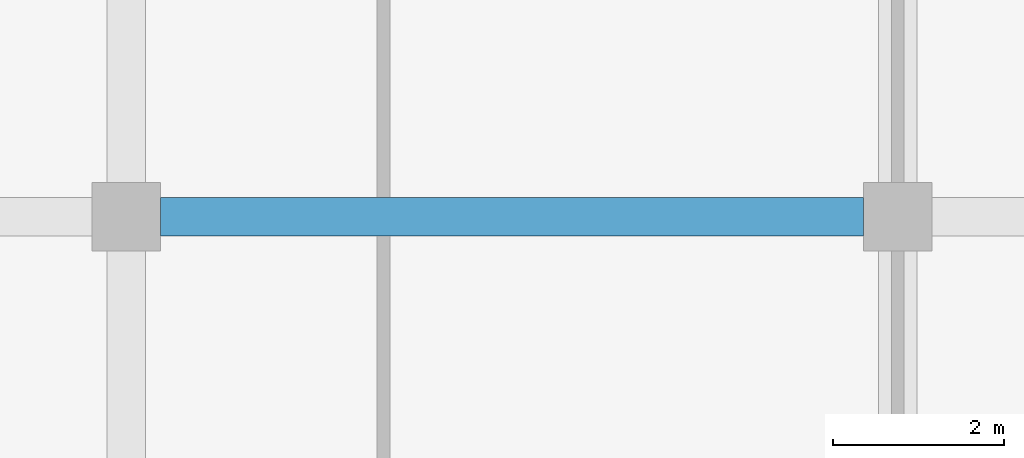
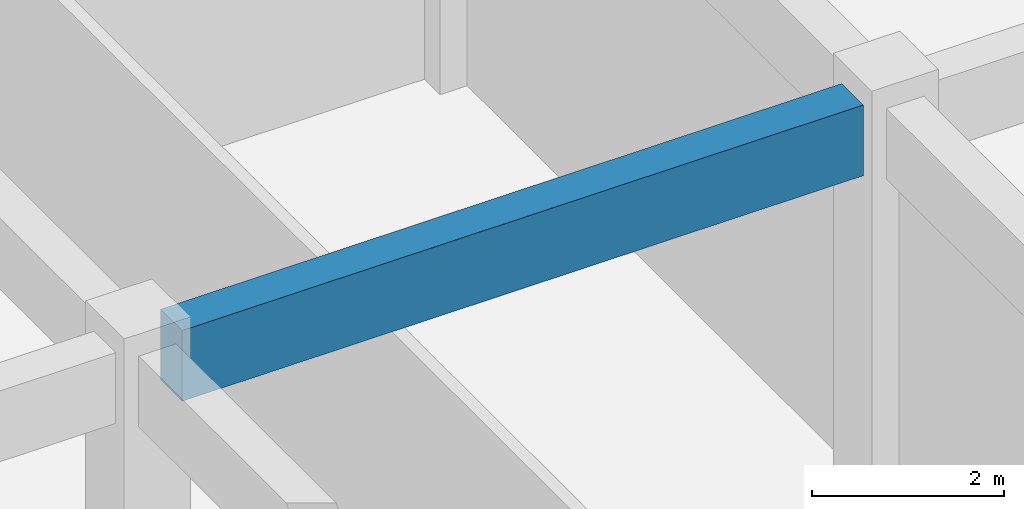
# One storey, part 203 of 437: 1 beam.
"""IFC4 building model written with IfcOpenShell, lengths in metres."""

from ifc_helpers import new_model, si_unit, direction, frame, origin, origin_2d, place, context, subcontext, project, spatial, rectangle, extrude, material, material_profile, profile_set, type_object, element, save


model = new_model("IFC4")

# Units and contexts
model_context = context("Model", 3, precision=1e-05, world=origin(), true_north=direction((0.0, 1.0)))
body_context = subcontext(model_context, "Body", "Model", "MODEL_VIEW")
ifc_project = project(units=[si_unit("LENGTHUNIT", "METRE"), si_unit("AREAUNIT", "SQUARE_METRE"), si_unit("VOLUMEUNIT", "CUBIC_METRE"), si_unit("PLANEANGLEUNIT", "RADIAN"), si_unit("MASSUNIT", "GRAM", prefix="KILO")], contexts=[model_context])

# Site, building, storey
site_placement = place(None, origin())
site = spatial("IfcSite", under=ifc_project, at=site_placement, CompositionType="ELEMENT")
building_placement = place(site_placement, origin())
building = spatial("IfcBuilding", under=site, at=building_placement, Name="Opaline Strait Convention Centre", CompositionType="ELEMENT")
storey_placement = place(building_placement, frame((0.0, 0.0, 11.5)))
storey = spatial("IfcBuildingStorey", under=building, at=storey_placement, Name="L02", CompositionType="ELEMENT", Elevation=11.5)

# Beam
ifc_material = material(Name="Concrete C35", Category="concrete")
ifc_material_profile = material_profile(ifc_material, rectangle(XDim=0.449951171875, YDim=0.89990234375, at=origin_2d()), Name="RC 450x900")
ifc_profile_set = profile_set([ifc_material_profile], Name="Concrete C35")
beam_type = type_object("IfcBeamType", Name="RC beam 450x900 C35", PredefinedType="BEAM", material=ifc_profile_set)
beam_placement = place(storey_placement, frame((288.39990234375, 126.0, 4.77001953125), z_axis=(1.0, 0.0, 0.0), x_axis=(0.0, 1.0, 0.0)))
element("IfcBeam", 1, at=beam_placement, inside=storey, type_object=beam_type, Name="XB1 L02 33/Q-34/Q", PredefinedType="BEAM", context=body_context, shape_type="SweptSolid", body=[
    extrude(rectangle(XDim=0.449951171875, YDim=0.89990234375, at=origin_2d()), origin(), (0.0, 0.0, 1.0), 8.2001953125),
])

save(model, "model.ifc")
